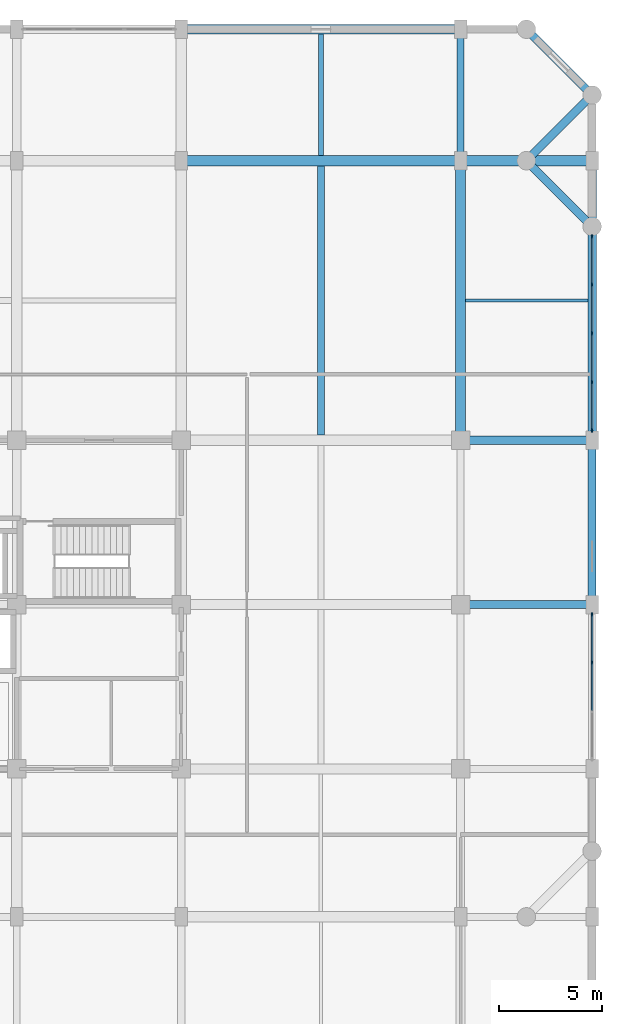
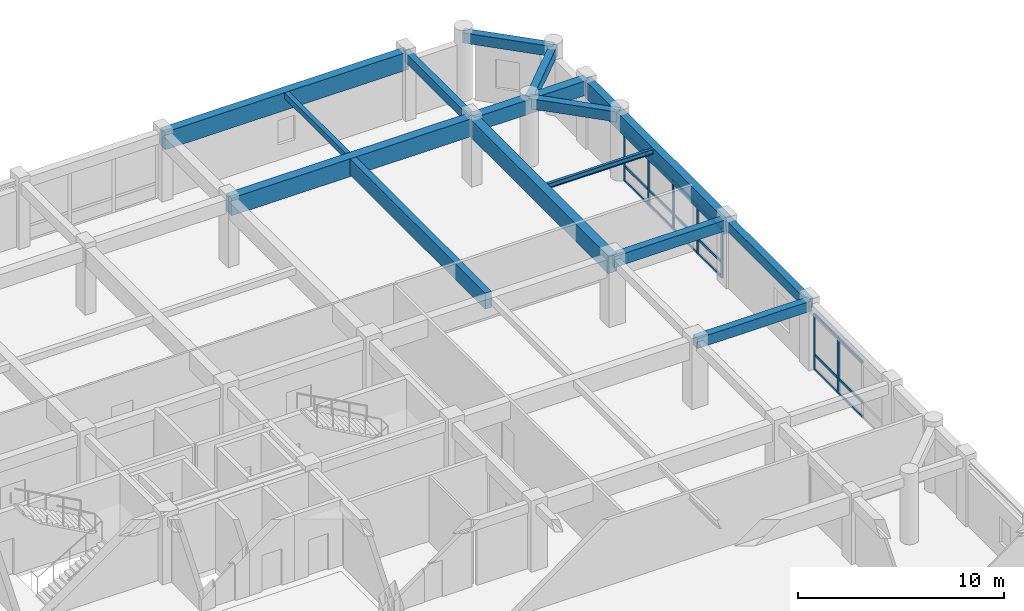
# One storey, part 17 of 35: 25 members, 15 beams, 2 elements without a shape of their own.
"""IFC4 building model written with IfcOpenShell, lengths in metres."""

from ifc_helpers import new_model, si_unit, direction, frame, origin, origin_2d, place, context, subcontext, project, spatial, rectangle, i_section, extrude, material, material_profile, profile_set, type_object, element, aggregate, save


model = new_model("IFC4")

# Units and contexts
model_context = context("Model", 3, precision=1e-05, world=origin(), true_north=direction((0.0, 1.0)))
body_context = subcontext(model_context, "Body", "Model", "MODEL_VIEW")
ifc_project = project(units=[si_unit("LENGTHUNIT", "METRE"), si_unit("AREAUNIT", "SQUARE_METRE"), si_unit("VOLUMEUNIT", "CUBIC_METRE"), si_unit("PLANEANGLEUNIT", "RADIAN"), si_unit("MASSUNIT", "GRAM", prefix="KILO")], contexts=[model_context])

# Site, building, storey
site_placement = place(None, origin())
site = spatial("IfcSite", under=ifc_project, at=site_placement, CompositionType="ELEMENT")
building_placement = place(site_placement, origin())
building = spatial("IfcBuilding", under=site, at=building_placement, Name="Vellmiral Cinema and Media Centre", CompositionType="ELEMENT")
storey_placement = place(building_placement, frame((0.0, 0.0, 15.60009765625)))
storey = spatial("IfcBuildingStorey", under=building, at=storey_placement, Name="L03", CompositionType="ELEMENT", Elevation=15.60009765625)

# Beams
ifc_material_1 = material(Name="Concrete C40/50", Category="concrete")
ifc_material_profile_1 = material_profile(ifc_material_1, rectangle(XDim=0.35009765625, YDim=0.550048828125, at=origin_2d()), Name="RC 350x550")
ifc_profile_set_1 = profile_set([ifc_material_profile_1], Name="Concrete C40/50")
beam_type_1 = type_object("IfcBeamType", Name="BM-RC-350x550", PredefinedType="BEAM", material=ifc_profile_set_1)
beam_1_placement = place(storey_placement, frame((161.60009765625, 108.800048828125, 3.619873046875), z_axis=(0.0, 1.0, 0.0), x_axis=(-1.0, 0.0, 0.0)))
element("IfcBeam", 1, at=beam_1_placement, inside=storey, type_object=beam_type_1, Name="Grid Beam L03-Y145", PredefinedType="BEAM", context=body_context, shape_type="SweptSolid", body=[
    extrude(rectangle(XDim=0.35009765625, YDim=0.550048828125, at=origin_2d()), origin(), (0.0, 0.0, 1.0), 6.39990234375),
])
ifc_material_2 = material(Name="Concrete C40/50", Category="concrete")
ifc_material_profile_2 = material_profile(ifc_material_2, rectangle(XDim=0.39990234375, YDim=0.60009765625, at=origin_2d()), Name="RC 400x600")
ifc_profile_set_2 = profile_set([ifc_material_profile_2], Name="Concrete C40/50")
beam_type_2 = type_object("IfcBeamType", Name="BM-RC-400x600", PredefinedType="BEAM", material=ifc_profile_set_2)
beam_2_placement = place(storey_placement, frame((161.60009765625, 87.199951171875, 3.594970703125), z_axis=(1.0, 0.0, 0.0), x_axis=(0.0, 1.0, 0.0)))
element("IfcBeam", 2, at=beam_2_placement, inside=storey, type_object=beam_type_2, Name="Grid Beam L03-X055", PredefinedType="BEAM", context=body_context, shape_type="SweptSolid", body=[
    extrude(rectangle(XDim=0.39990234375, YDim=0.60009765625, at=origin_2d()), origin(), (0.0, 0.0, 1.0), 6.39990234375),
])
ifc_material_3 = material(Name="Concrete C40/50", Category="concrete")
ifc_material_profile_3 = material_profile(ifc_material_3, rectangle(XDim=0.39990234375, YDim=0.64990234375, at=origin_2d()), Name="RC 400x650")
ifc_profile_set_3 = profile_set([ifc_material_profile_3], Name="Concrete C40/50")
beam_type_3 = type_object("IfcBeamType", Name="BM-RC-400x650", PredefinedType="BEAM", material=ifc_profile_set_3)
beam_3_placement = place(storey_placement, frame((161.60009765625, 95.199951171875, 3.56982421875), z_axis=(1.0, 0.0, 0.0), x_axis=(0.0, 1.0, 0.0)))
element("IfcBeam", 3, at=beam_3_placement, inside=storey, type_object=beam_type_3, Name="Grid Beam L03-X065", PredefinedType="BEAM", context=body_context, shape_type="SweptSolid", body=[
    extrude(rectangle(XDim=0.39990234375, YDim=0.64990234375, at=origin_2d()), origin(), (0.0, 0.0, 1.0), 6.39990234375),
])
ifc_material_4 = material(Name="Concrete C40/50", Category="concrete")
ifc_material_profile_4 = material_profile(ifc_material_4, rectangle(XDim=0.5, YDim=0.85009765625, at=origin_2d()), Name="RC 500x850")
ifc_profile_set_4 = profile_set([ifc_material_profile_4], Name="Concrete C40/50")
beam_type_4 = type_object("IfcBeamType", Name="BM-RC-500x850", PredefinedType="BEAM", material=ifc_profile_set_4)
beam_4_placement = place(storey_placement, frame((161.60009765625, 108.800048828125, 3.469970703125), z_axis=(1.0, 0.0, 0.0), x_axis=(0.0, 1.0, 0.0)))
element("IfcBeam", 4, at=beam_4_placement, inside=storey, type_object=beam_type_4, Name="Grid Beam L03-X072", PredefinedType="BEAM", context=body_context, shape_type="SweptSolid", body=[
    extrude(rectangle(XDim=0.5, YDim=0.85009765625, at=origin_2d()), origin(), (0.0, 0.0, 1.0), 6.39990234375),
])
ifc_material_5 = material(Name="Concrete C40/50", Category="concrete")
ifc_material_profile_5 = material_profile(ifc_material_5, rectangle(XDim=0.5, YDim=1.050048828125, at=origin_2d()), Name="RC 500x1050")
ifc_profile_set_5 = profile_set([ifc_material_profile_5], Name="Concrete C40/50")
beam_type_5 = type_object("IfcBeamType", Name="BM-RCG-500x1050", PredefinedType="BEAM", material=ifc_profile_set_5)
for number, where, z_axis, x_axis, name in (
    (5, (148.0, 108.800048828125, 3.369873046875), (1.0, 0.0, 0.0), (0.0, 1.0, 0.0), "Grid Beam L03-X071"),
    (6, (161.60009765625, 95.199951171875, 3.369873046875), (0.0, 1.0, 0.0), (-1.0, 0.0, 0.0), "Grid Beam L03-Y144"),
):
    element("IfcBeam", number, at=place(storey_placement, frame(where, z_axis=z_axis, x_axis=x_axis)), inside=storey, type_object=beam_type_5, Name=name, PredefinedType="BEAM", context=body_context, shape_type="SweptSolid", body=[
        extrude(rectangle(XDim=0.5, YDim=1.050048828125, at=origin_2d()), origin(), (0.0, 0.0, 1.0), 13.60009765625),
    ])

# Curtain wall, members
ifc_material_6 = material(Name="Thermally Broken Aluminium and Triple Glazing", Category="aluminium")
curtain_wall_type = type_object("IfcCurtainWallType", Name="CW-LIB-BAY", PredefinedType="USERDEFINED", material=ifc_material_6)
curtain_wall_1_placement = place(storey_placement, origin())
curtain_wall_1 = element("IfcCurtainWall", 7, at=curtain_wall_1_placement, inside=storey, type_object=curtain_wall_type, Name="Curtain Wall L03-B022", ObjectType="STICK CURTAIN WALL", PredefinedType="USERDEFINED")
ifc_material_7 = material(Name="Thermally Broken Anodised Aluminium", Category="aluminium")
ifc_material_profile_6 = material_profile(ifc_material_7, rectangle(XDim=0.070068359375, YDim=0.179931640625, at=origin_2d()), Name="MULL 70x180")
ifc_profile_set_6 = profile_set([ifc_material_profile_6], Name="Thermally Broken Anodised Aluminium")
member_type_1 = type_object("IfcMemberType", Name="CWM-70x180", PredefinedType="MULLION", material=ifc_profile_set_6)
member_1_placement = place(storey_placement, frame((168.0, 84.38330078125, 0.0), z_axis=(0.0, 0.0, 1.0), x_axis=(-1.0, 0.0, 0.0)))
member_1 = element("IfcMember", 8, at=member_1_placement, type_object=member_type_1, Name="CW-03 mullion 3", PredefinedType="MULLION", context=body_context, shape_type="SweptSolid", body=[
    extrude(rectangle(XDim=0.070068359375, YDim=0.179931640625, at=origin_2d()), origin(), (0.0, 0.0, 1.0), 3.2998046875),
])
member_2_placement = place(storey_placement, frame((168.0, 86.715087890625, 0.0), z_axis=(0.0, 0.0, 1.0), x_axis=(-1.0, 0.0, 0.0)))
member_2 = element("IfcMember", 9, at=member_2_placement, type_object=member_type_1, Name="CW-03 mullion 4", PredefinedType="MULLION", context=body_context, shape_type="SweptSolid", body=[
    extrude(rectangle(XDim=0.070068359375, YDim=0.179931640625, at=origin_2d()), origin(), (0.0, 0.0, 1.0), 3.2998046875),
])

curtain_wall_2_placement = place(storey_placement, origin())
curtain_wall_2 = element("IfcCurtainWall", 10, at=curtain_wall_2_placement, inside=storey, type_object=curtain_wall_type, Name="Curtain Wall L03-B024", ObjectType="STICK CURTAIN WALL", PredefinedType="USERDEFINED")
member_3_placement = place(storey_placement, frame((168.0, 95.68505859375, 0.0), z_axis=(0.0, 0.0, 1.0), x_axis=(-1.0, 0.0, 0.0)))
member_3 = element("IfcMember", 11, at=member_3_placement, type_object=member_type_1, Name="CW-03 mullion 1", PredefinedType="MULLION", context=body_context, shape_type="SweptSolid", body=[
    extrude(rectangle(XDim=0.070068359375, YDim=0.179931640625, at=origin_2d()), origin(), (0.0, 0.0, 1.0), 2.885009765625),
])
member_4_placement = place(storey_placement, frame((168.0, 98.02490234375, 0.0), z_axis=(0.0, 0.0, 1.0), x_axis=(-1.0, 0.0, 0.0)))
member_4 = element("IfcMember", 12, at=member_4_placement, type_object=member_type_1, Name="CW-03 mullion 2", PredefinedType="MULLION", context=body_context, shape_type="SweptSolid", body=[
    extrude(rectangle(XDim=0.070068359375, YDim=0.179931640625, at=origin_2d()), origin(), (0.0, 0.0, 1.0), 2.885009765625),
])
member_5_placement = place(storey_placement, frame((168.0, 100.39990234375, 0.0), z_axis=(0.0, 0.0, 1.0), x_axis=(-1.0, 0.0, 0.0)))
member_5 = element("IfcMember", 13, at=member_5_placement, type_object=member_type_1, Name="CW-03 mullion 3", PredefinedType="MULLION", context=body_context, shape_type="SweptSolid", body=[
    extrude(rectangle(XDim=0.070068359375, YDim=0.179931640625, at=origin_2d()), origin(), (0.0, 0.0, 1.0), 2.885009765625),
])
member_6_placement = place(storey_placement, frame((168.0, 102.77490234375, 0.0), z_axis=(0.0, 0.0, 1.0), x_axis=(-1.0, 0.0, 0.0)))
member_6 = element("IfcMember", 14, at=member_6_placement, type_object=member_type_1, Name="CW-03 mullion 4", PredefinedType="MULLION", context=body_context, shape_type="SweptSolid", body=[
    extrude(rectangle(XDim=0.070068359375, YDim=0.179931640625, at=origin_2d()), origin(), (0.0, 0.0, 1.0), 2.885009765625),
])
member_7_placement = place(storey_placement, frame((168.0, 105.114990234375, 0.0), z_axis=(0.0, 0.0, 1.0), x_axis=(-1.0, 0.0, 0.0)))
member_7 = element("IfcMember", 15, at=member_7_placement, type_object=member_type_1, Name="CW-03 mullion 5", PredefinedType="MULLION", context=body_context, shape_type="SweptSolid", body=[
    extrude(rectangle(XDim=0.070068359375, YDim=0.179931640625, at=origin_2d()), origin(), (0.0, 0.0, 1.0), 2.885009765625),
])

# Member
ifc_material_8 = material(Name="Thermally Broken Anodised Aluminium", Category="aluminium")
ifc_material_profile_7 = material_profile(ifc_material_8, rectangle(XDim=0.070068359375, YDim=0.14990234375, at=origin_2d()), Name="MULL 70x150")
ifc_profile_set_7 = profile_set([ifc_material_profile_7], Name="Thermally Broken Anodised Aluminium")
member_type_2 = type_object("IfcMemberType", Name="CWT-70x150", PredefinedType="USERDEFINED", material=ifc_profile_set_7)
member_8_placement = place(storey_placement, frame((168.0, 82.0517578125, 0.034912109375), z_axis=(0.0, 1.0, 0.0), x_axis=(-1.0, 0.0, 0.0)))
member_8 = element("IfcMember", 16, at=member_8_placement, type_object=member_type_2, Name="CW-03 transom 2.1", ObjectType="TRANSOM", PredefinedType="USERDEFINED", context=body_context, shape_type="SweptSolid", body=[
    extrude(rectangle(XDim=0.070068359375, YDim=0.14990234375, at=origin_2d()), origin(), (0.0, 0.0, 1.0), 2.296630859375),
])

member_9_placement = place(storey_placement, frame((168.0, 82.0517578125, 0.89990234375), z_axis=(0.0, 1.0, 0.0), x_axis=(-1.0, 0.0, 0.0)))
member_9 = element("IfcMember", 17, at=member_9_placement, type_object=member_type_2, Name="CW-03 transom 2.2", ObjectType="TRANSOM", PredefinedType="USERDEFINED", context=body_context, shape_type="SweptSolid", body=[
    extrude(rectangle(XDim=0.070068359375, YDim=0.14990234375, at=origin_2d()), origin(), (0.0, 0.0, 1.0), 2.296630859375),
])

member_10_placement = place(storey_placement, frame((168.0, 82.0517578125, 3.264892578125), z_axis=(0.0, 1.0, 0.0), x_axis=(-1.0, 0.0, 0.0)))
member_10 = element("IfcMember", 18, at=member_10_placement, type_object=member_type_2, Name="CW-03 transom 2.3", ObjectType="TRANSOM", PredefinedType="USERDEFINED", context=body_context, shape_type="SweptSolid", body=[
    extrude(rectangle(XDim=0.070068359375, YDim=0.14990234375, at=origin_2d()), origin(), (0.0, 0.0, 1.0), 2.296630859375),
])

member_11_placement = place(storey_placement, frame((168.0, 84.418212890625, 0.034912109375), z_axis=(0.0, 1.0, 0.0), x_axis=(-1.0, 0.0, 0.0)))
member_11 = element("IfcMember", 19, at=member_11_placement, type_object=member_type_2, Name="CW-03 transom 3.1", ObjectType="TRANSOM", PredefinedType="USERDEFINED", context=body_context, shape_type="SweptSolid", body=[
    extrude(rectangle(XDim=0.070068359375, YDim=0.14990234375, at=origin_2d()), origin(), (0.0, 0.0, 1.0), 2.26171875),
])

member_12_placement = place(storey_placement, frame((168.0, 84.418212890625, 0.89990234375), z_axis=(0.0, 1.0, 0.0), x_axis=(-1.0, 0.0, 0.0)))
member_12 = element("IfcMember", 20, at=member_12_placement, type_object=member_type_2, Name="CW-03 transom 3.2", ObjectType="TRANSOM", PredefinedType="USERDEFINED", context=body_context, shape_type="SweptSolid", body=[
    extrude(rectangle(XDim=0.070068359375, YDim=0.14990234375, at=origin_2d()), origin(), (0.0, 0.0, 1.0), 2.26171875),
])

member_13_placement = place(storey_placement, frame((168.0, 84.418212890625, 3.264892578125), z_axis=(0.0, 1.0, 0.0), x_axis=(-1.0, 0.0, 0.0)))
member_13 = element("IfcMember", 21, at=member_13_placement, type_object=member_type_2, Name="CW-03 transom 3.3", ObjectType="TRANSOM", PredefinedType="USERDEFINED", context=body_context, shape_type="SweptSolid", body=[
    extrude(rectangle(XDim=0.070068359375, YDim=0.14990234375, at=origin_2d()), origin(), (0.0, 0.0, 1.0), 2.26171875),
])

aggregate(curtain_wall_1, [member_1, member_2, member_8, member_9, member_10, member_11, member_12, member_13])

member_14_placement = place(storey_placement, frame((168.0, 95.719970703125, 0.034912109375), z_axis=(0.0, 1.0, 0.0), x_axis=(-1.0, 0.0, 0.0)))
member_14 = element("IfcMember", 22, at=member_14_placement, type_object=member_type_2, Name="CW-03 transom 1.1", ObjectType="TRANSOM", PredefinedType="USERDEFINED", context=body_context, shape_type="SweptSolid", body=[
    extrude(rectangle(XDim=0.070068359375, YDim=0.14990234375, at=origin_2d()), origin(), (0.0, 0.0, 1.0), 2.27001953125),
])

member_15_placement = place(storey_placement, frame((168.0, 95.719970703125, 0.89990234375), z_axis=(0.0, 1.0, 0.0), x_axis=(-1.0, 0.0, 0.0)))
member_15 = element("IfcMember", 23, at=member_15_placement, type_object=member_type_2, Name="CW-03 transom 1.2", ObjectType="TRANSOM", PredefinedType="USERDEFINED", context=body_context, shape_type="SweptSolid", body=[
    extrude(rectangle(XDim=0.070068359375, YDim=0.14990234375, at=origin_2d()), origin(), (0.0, 0.0, 1.0), 2.27001953125),
])

member_16_placement = place(storey_placement, frame((168.0, 95.719970703125, 2.849853515625), z_axis=(0.0, 1.0, 0.0), x_axis=(-1.0, 0.0, 0.0)))
member_16 = element("IfcMember", 24, at=member_16_placement, type_object=member_type_2, Name="CW-03 transom 1.3", ObjectType="TRANSOM", PredefinedType="USERDEFINED", context=body_context, shape_type="SweptSolid", body=[
    extrude(rectangle(XDim=0.070068359375, YDim=0.14990234375, at=origin_2d()), origin(), (0.0, 0.0, 1.0), 2.27001953125),
])

member_17_placement = place(storey_placement, frame((168.0, 98.06005859375, 0.034912109375), z_axis=(0.0, 1.0, 0.0), x_axis=(-1.0, 0.0, 0.0)))
member_17 = element("IfcMember", 25, at=member_17_placement, type_object=member_type_2, Name="CW-03 transom 2.1", ObjectType="TRANSOM", PredefinedType="USERDEFINED", context=body_context, shape_type="SweptSolid", body=[
    extrude(rectangle(XDim=0.070068359375, YDim=0.14990234375, at=origin_2d()), origin(), (0.0, 0.0, 1.0), 2.304931640625),
])

member_18_placement = place(storey_placement, frame((168.0, 98.06005859375, 0.89990234375), z_axis=(0.0, 1.0, 0.0), x_axis=(-1.0, 0.0, 0.0)))
member_18 = element("IfcMember", 26, at=member_18_placement, type_object=member_type_2, Name="CW-03 transom 2.2", ObjectType="TRANSOM", PredefinedType="USERDEFINED", context=body_context, shape_type="SweptSolid", body=[
    extrude(rectangle(XDim=0.070068359375, YDim=0.14990234375, at=origin_2d()), origin(), (0.0, 0.0, 1.0), 2.304931640625),
])

member_19_placement = place(storey_placement, frame((168.0, 98.06005859375, 2.849853515625), z_axis=(0.0, 1.0, 0.0), x_axis=(-1.0, 0.0, 0.0)))
member_19 = element("IfcMember", 27, at=member_19_placement, type_object=member_type_2, Name="CW-03 transom 2.3", ObjectType="TRANSOM", PredefinedType="USERDEFINED", context=body_context, shape_type="SweptSolid", body=[
    extrude(rectangle(XDim=0.070068359375, YDim=0.14990234375, at=origin_2d()), origin(), (0.0, 0.0, 1.0), 2.304931640625),
])

member_20_placement = place(storey_placement, frame((168.0, 100.43505859375, 0.034912109375), z_axis=(0.0, 1.0, 0.0), x_axis=(-1.0, 0.0, 0.0)))
member_20 = element("IfcMember", 28, at=member_20_placement, type_object=member_type_2, Name="CW-03 transom 3.1", ObjectType="TRANSOM", PredefinedType="USERDEFINED", context=body_context, shape_type="SweptSolid", body=[
    extrude(rectangle(XDim=0.070068359375, YDim=0.14990234375, at=origin_2d()), origin(), (0.0, 0.0, 1.0), 2.304931640625),
])

member_21_placement = place(storey_placement, frame((168.0, 100.43505859375, 0.89990234375), z_axis=(0.0, 1.0, 0.0), x_axis=(-1.0, 0.0, 0.0)))
member_21 = element("IfcMember", 29, at=member_21_placement, type_object=member_type_2, Name="CW-03 transom 3.2", ObjectType="TRANSOM", PredefinedType="USERDEFINED", context=body_context, shape_type="SweptSolid", body=[
    extrude(rectangle(XDim=0.070068359375, YDim=0.14990234375, at=origin_2d()), origin(), (0.0, 0.0, 1.0), 2.304931640625),
])

member_22_placement = place(storey_placement, frame((168.0, 100.43505859375, 2.849853515625), z_axis=(0.0, 1.0, 0.0), x_axis=(-1.0, 0.0, 0.0)))
member_22 = element("IfcMember", 30, at=member_22_placement, type_object=member_type_2, Name="CW-03 transom 3.3", ObjectType="TRANSOM", PredefinedType="USERDEFINED", context=body_context, shape_type="SweptSolid", body=[
    extrude(rectangle(XDim=0.070068359375, YDim=0.14990234375, at=origin_2d()), origin(), (0.0, 0.0, 1.0), 2.304931640625),
])

member_23_placement = place(storey_placement, frame((168.0, 102.81005859375, 0.034912109375), z_axis=(0.0, 1.0, 0.0), x_axis=(-1.0, 0.0, 0.0)))
member_23 = element("IfcMember", 31, at=member_23_placement, type_object=member_type_2, Name="CW-03 transom 4.1", ObjectType="TRANSOM", PredefinedType="USERDEFINED", context=body_context, shape_type="SweptSolid", body=[
    extrude(rectangle(XDim=0.070068359375, YDim=0.14990234375, at=origin_2d()), origin(), (0.0, 0.0, 1.0), 2.27001953125),
])

member_24_placement = place(storey_placement, frame((168.0, 102.81005859375, 0.89990234375), z_axis=(0.0, 1.0, 0.0), x_axis=(-1.0, 0.0, 0.0)))
member_24 = element("IfcMember", 32, at=member_24_placement, type_object=member_type_2, Name="CW-03 transom 4.2", ObjectType="TRANSOM", PredefinedType="USERDEFINED", context=body_context, shape_type="SweptSolid", body=[
    extrude(rectangle(XDim=0.070068359375, YDim=0.14990234375, at=origin_2d()), origin(), (0.0, 0.0, 1.0), 2.27001953125),
])

member_25_placement = place(storey_placement, frame((168.0, 102.81005859375, 2.849853515625), z_axis=(0.0, 1.0, 0.0), x_axis=(-1.0, 0.0, 0.0)))
member_25 = element("IfcMember", 33, at=member_25_placement, type_object=member_type_2, Name="CW-03 transom 4.3", ObjectType="TRANSOM", PredefinedType="USERDEFINED", context=body_context, shape_type="SweptSolid", body=[
    extrude(rectangle(XDim=0.070068359375, YDim=0.14990234375, at=origin_2d()), origin(), (0.0, 0.0, 1.0), 2.27001953125),
])

aggregate(curtain_wall_2, [member_3, member_4, member_5, member_6, member_7, member_14, member_15, member_16, member_17, member_18, member_19, member_20, member_21, member_22, member_23, member_24, member_25])

# Beams
ifc_material_9 = material(Name="Concrete C40/50", Category="concrete")
ifc_material_profile_8 = material_profile(ifc_material_9, rectangle(XDim=0.25, YDim=0.35009765625, at=origin_2d()), Name="RC 250x350")
ifc_profile_set_8 = profile_set([ifc_material_profile_8], Name="Concrete C40/50")
beam_type_6 = type_object("IfcBeamType", Name="JST-RC-250x350", PredefinedType="JOIST", material=ifc_profile_set_8)
beam_5_placement = place(storey_placement, frame((154.800048828125, 109.050048828125, 3.719970703125), z_axis=(0.0, 1.0, 0.0), x_axis=(-1.0, 0.0, 0.0)))
element("IfcBeam", 34, at=beam_5_placement, inside=storey, type_object=beam_type_6, Name="Secondary Floor Joist L03-018", PredefinedType="JOIST", context=body_context, shape_type="SweptSolid", body=[
    extrude(rectangle(XDim=0.25, YDim=0.35009765625, at=origin_2d()), origin(), (0.0, 0.0, 1.0), 5.925048828125),
])
ifc_material_10 = material(Name="Concrete C40/50", Category="concrete")
ifc_material_profile_9 = material_profile(ifc_material_10, rectangle(XDim=0.35009765625, YDim=0.949951171875, at=origin_2d()), Name="RC 350x950")
ifc_profile_set_9 = profile_set([ifc_material_profile_9], Name="Concrete C40/50")
beam_type_7 = type_object("IfcBeamType", Name="JST-RCG-350x950", PredefinedType="JOIST", material=ifc_profile_set_9)
beam_6_placement = place(storey_placement, frame((154.800048828125, 95.449951171875, 3.419921875), z_axis=(0.0, 1.0, 0.0), x_axis=(-1.0, 0.0, 0.0)))
element("IfcBeam", 35, at=beam_6_placement, inside=storey, type_object=beam_type_7, Name="Secondary Floor Joist L03-017", PredefinedType="JOIST", context=body_context, shape_type="SweptSolid", body=[
    extrude(rectangle(XDim=0.35009765625, YDim=0.949951171875, at=origin_2d()), origin(), (0.0, 0.0, 1.0), 13.10009765625),
])
ifc_material_11 = material(Name="Steel S355", Category="steel")
ifc_material_profile_10 = material_profile(ifc_material_11, i_section(OverallWidth=0.14990234375, OverallDepth=0.300048828125, WebThickness=0.007080078125, FlangeThickness=0.0107421875, FilletRadius=0.014892578125, at=origin_2d()), Name="IPE 300")
ifc_profile_set_10 = profile_set([ifc_material_profile_10], Name="Steel S355")
beam_type_8 = type_object("IfcBeamType", Name="SBM-IPE300", PredefinedType="JOIST", material=ifc_profile_set_10)
beam_7_placement = place(storey_placement, frame((161.85009765625, 102.0, 3.744873046875), z_axis=(1.0, 0.0, 0.0), x_axis=(0.0, 1.0, 0.0)))
element("IfcBeam", 36, at=beam_7_placement, inside=storey, type_object=beam_type_8, Name="Secondary Floor Joist L03-019", PredefinedType="JOIST", context=body_context, shape_type="SweptSolid", body=[
    extrude(i_section(OverallWidth=0.14990234375, OverallDepth=0.300048828125, WebThickness=0.007080078125, FlangeThickness=0.0107421875, FilletRadius=0.014892578125, at=origin_2d()), origin(), (0.0, 0.0, 1.0), 5.93994140625),
])
ifc_material_12 = material(Name="Concrete C40/50", Category="concrete")
ifc_material_profile_11 = material_profile(ifc_material_12, rectangle(XDim=0.39990234375, YDim=0.60009765625, at=origin_2d()), Name="RC 400x600")
ifc_profile_set_11 = profile_set([ifc_material_profile_11], Name="Concrete C40/50")
beam_type_9 = type_object("IfcBeamType", Name="SPD-RC-400x600", PredefinedType="SPANDREL", material=ifc_profile_set_11)
for number, where, z_axis, x_axis, name in (
    (37, (164.800048828125, 108.800048828125, 3.594970703125), (0.707106781187, -0.707106781187, 0.0), (0.707106781187, 0.707106781187, 0.0), "Xamfra Chamfer Spandrel Beam L03-154"),
    (38, (164.800048828125, 108.800048828125, 3.594970703125), (0.707106781187, 0.707106781187, 0.0), (-0.707106781187, 0.707106781187, 0.0), "Xamfra Chamfer Spandrel Beam L03-155"),
    (39, (164.800048828125, 115.199951171875, 3.594970703125), (0.707106781187, -0.707106781187, 0.0), (0.707106781187, 0.707106781187, 0.0), "Xamfra Chamfer Spandrel Beam L03-156"),
):
    element("IfcBeam", number, at=place(storey_placement, frame(where, z_axis=z_axis, x_axis=x_axis)), inside=storey, type_object=beam_type_9, Name=name, PredefinedType="SPANDREL", context=body_context, shape_type="SweptSolid", body=[
        extrude(rectangle(XDim=0.39990234375, YDim=0.60009765625, at=origin_2d()), origin(), (0.0, 0.0, 1.0), 4.525390625),
    ])
ifc_material_13 = material(Name="Concrete C40/50", Category="concrete")
ifc_material_profile_12 = material_profile(ifc_material_13, rectangle(XDim=0.449951171875, YDim=1.050048828125, at=origin_2d()), Name="RC 450x1050")
ifc_profile_set_12 = profile_set([ifc_material_profile_12], Name="Concrete C40/50")
beam_type_10 = type_object("IfcBeamType", Name="SPD-RCG-450x1050", PredefinedType="SPANDREL", material=ifc_profile_set_12)
beam_8_placement = place(storey_placement, frame((148.0, 115.199951171875, 3.369873046875), z_axis=(1.0, 0.0, 0.0), x_axis=(0.0, 1.0, 0.0)))
element("IfcBeam", 40, at=beam_8_placement, inside=storey, type_object=beam_type_10, Name="Grid Beam L03-X078", PredefinedType="SPANDREL", context=body_context, shape_type="SweptSolid", body=[
    extrude(rectangle(XDim=0.449951171875, YDim=1.050048828125, at=origin_2d()), origin(), (0.0, 0.0, 1.0), 13.60009765625),
])
ifc_material_14 = material(Name="Vosges Red Sandstone Masonry", Category="masonry")
ifc_material_profile_13 = material_profile(ifc_material_14, rectangle(XDim=0.3798828125, YDim=0.580078125, at=origin_2d()), Name="SAND 380x580")
ifc_profile_set_13 = profile_set([ifc_material_profile_13], Name="Vosges Red Sandstone Masonry")
beam_type_11 = type_object("IfcBeamType", Name="SPD-SAND-380x580", PredefinedType="SPANDREL", material=ifc_profile_set_13)
beam_9_placement = place(storey_placement, frame((168.0, 87.199951171875, 3.60498046875), z_axis=(0.0, 1.0, 0.0), x_axis=(-1.0, 0.0, 0.0)))
element("IfcBeam", 41, at=beam_9_placement, inside=storey, type_object=beam_type_11, Name="Grid Beam L03-Y149", PredefinedType="SPANDREL", context=body_context, shape_type="SweptSolid", body=[
    extrude(rectangle(XDim=0.3798828125, YDim=0.580078125, at=origin_2d()), origin(), (0.0, 0.0, 1.0), 8.0),
])
ifc_material_15 = material(Name="Vosges Red Sandstone Masonry", Category="masonry")
ifc_material_profile_14 = material_profile(ifc_material_15, rectangle(XDim=0.419921875, YDim=1.0, at=origin_2d()), Name="SAND 420x1000")
ifc_profile_set_14 = profile_set([ifc_material_profile_14], Name="Vosges Red Sandstone Masonry")
beam_type_12 = type_object("IfcBeamType", Name="SPD-SANDG-420x1000", PredefinedType="SPANDREL", material=ifc_profile_set_14)
beam_10_placement = place(storey_placement, frame((168.0, 95.199951171875, 3.39501953125), z_axis=(0.0, 1.0, 0.0), x_axis=(-1.0, 0.0, 0.0)))
element("IfcBeam", 42, at=beam_10_placement, inside=storey, type_object=beam_type_12, Name="Grid Beam L03-Y150", PredefinedType="SPANDREL", context=body_context, shape_type="SweptSolid", body=[
    extrude(rectangle(XDim=0.419921875, YDim=1.0, at=origin_2d()), origin(), (0.0, 0.0, 1.0), 13.60009765625),
])

save(model, "model.ifc")
